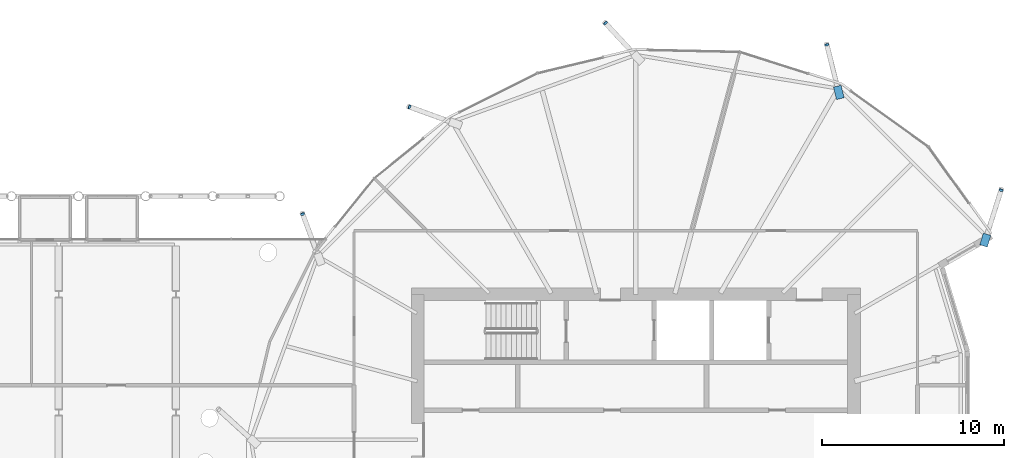
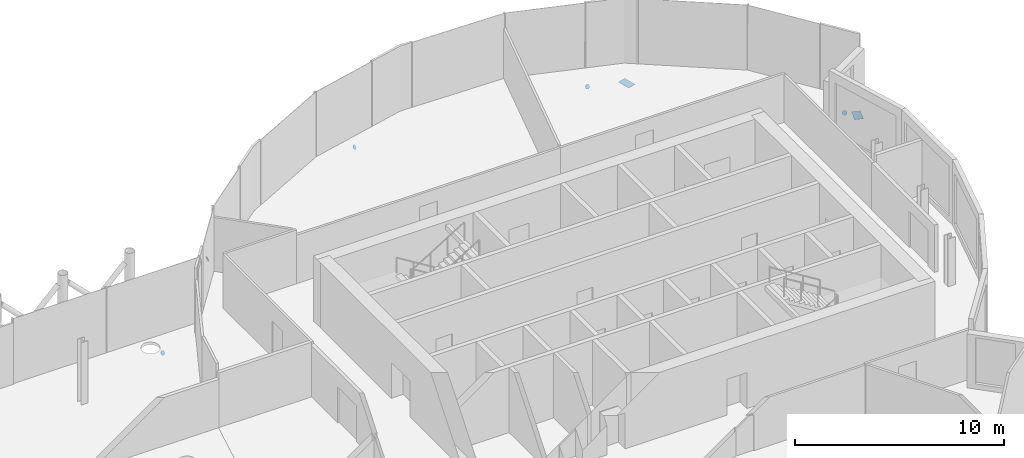
# One storey, part 35 of 39: 7 discrete accessories.
"""IFC4 building model written with IfcOpenShell, lengths in metres."""

from ifc_helpers import new_model, si_unit, direction, frame, origin, origin_2d, place, context, subcontext, project, spatial, polyline, rectangle, circle, outline, extrude, material, material_profile, profile_set, type_object, element, save


model = new_model("IFC4")

# Units and contexts
model_context = context("Model", 3, precision=1e-05, world=origin(), true_north=direction((0.0, 1.0)))
body_context = subcontext(model_context, "Body", "Model", "MODEL_VIEW")
ifc_project = project(units=[si_unit("LENGTHUNIT", "METRE"), si_unit("AREAUNIT", "SQUARE_METRE"), si_unit("VOLUMEUNIT", "CUBIC_METRE"), si_unit("PLANEANGLEUNIT", "RADIAN"), si_unit("MASSUNIT", "GRAM", prefix="KILO")], contexts=[model_context])

# Site, building, storey
site_placement = place(None, origin())
site = spatial("IfcSite", under=ifc_project, at=site_placement, CompositionType="ELEMENT")
building_placement = place(site_placement, origin())
building = spatial("IfcBuilding", under=site, at=building_placement, Name="Rimbun Link Towers", CompositionType="ELEMENT")
storey_placement = place(building_placement, frame((0.0, 0.0, 143.0)))
storey = spatial("IfcBuildingStorey", under=building, at=storey_placement, Name="L34", CompositionType="ELEMENT", Elevation=143.0)

# Discrete accessories
ifc_material_1 = material(Name="Steel S355J2H", Category="steel")
ifc_material_profile_1 = material_profile(ifc_material_1, circle(Radius=0.1240234375, at=origin_2d()), Name="PL D248")
ifc_profile_set_1 = profile_set([ifc_material_profile_1], Name="Steel S355J2H")
discrete_accessory_type_1 = type_object("IfcDiscreteAccessoryType", Name="Link foot sealing plate D248X20", PredefinedType="BRACKET", material=ifc_profile_set_1)
discrete_accessory_1_placement = place(storey_placement, frame((42.263916015625, 21.7216796875, -2.42822265625), z_axis=(-0.209350715718, 0.837402862872, -0.50490466732), x_axis=(-0.970142500145, -0.242535625036, 0.0)))
element("IfcDiscreteAccessory", 1, at=discrete_accessory_1_placement, inside=storey, type_object=discrete_accessory_type_1, Name="Link foot sealing plate T2 L34 01", PredefinedType="BRACKET", context=body_context, shape_type="SweptSolid", body=[
    extrude(circle(Radius=0.1240234375, at=origin_2d()), origin(), (0.0, 0.0, 1.0), 0.019775390625),
])
for number, where, z_axis, x_axis, name in (
    (2, (30.08642578125, 22.9189453125, -2.424560546875), (-0.583287625132, 0.631894927227, -0.510376671991), (-0.734803444627, -0.678280102733, 0.0), "Link foot sealing plate T2 L34 03"),
    (3, (19.304931640625, 18.309814453125, -2.384521484375), (-0.808614679801, 0.306293439319, -0.502321240483), (-0.35422706261, -0.93515944529, 0.0), "Link foot sealing plate T2 L34 05"),
):
    element("IfcDiscreteAccessory", number, at=place(storey_placement, frame(where, z_axis=z_axis, x_axis=x_axis)), inside=storey, type_object=discrete_accessory_type_1, Name=name, PredefinedType="BRACKET", context=body_context, shape_type="SweptSolid", body=[
        extrude(circle(Radius=0.1240234375, at=origin_2d()), origin(), (0.0, 0.0, 1.0), 0.02001953125),
    ])
discrete_accessory_2_placement = place(storey_placement, frame((13.4248046875, 12.410888671875, -2.233154296875), z_axis=(-0.295240698783, 0.787308530088, -0.541274614436), x_axis=(-0.936329177569, -0.351123441588, 0.0)))
element("IfcDiscreteAccessory", 4, at=discrete_accessory_2_placement, inside=storey, type_object=discrete_accessory_type_1, Name="Link foot sealing plate T2 L34 07", PredefinedType="BRACKET", context=body_context, shape_type="SweptSolid", body=[
    extrude(circle(Radius=0.1240234375, at=origin_2d()), origin(), (0.0, 0.0, 1.0), 0.019775390625),
])
discrete_accessory_3_placement = place(storey_placement, frame((51.844482421875, 13.726318359375, -2.47021484375), z_axis=(0.255926340955, 0.804339928716, -0.536226619144), x_axis=(-0.952925780013, 0.303203657277, 0.0)))
element("IfcDiscreteAccessory", 5, at=discrete_accessory_3_placement, inside=storey, type_object=discrete_accessory_type_1, Name="Link foot sealing plate T2 L34 23", PredefinedType="BRACKET", context=body_context, shape_type="SweptSolid", body=[
    extrude(circle(Radius=0.1240234375, at=origin_2d()), origin(), (0.0, 0.0, 1.0), 0.02001953125),
])
ifc_material_2 = material(Name="Steel S355J2H", Category="steel")
ifc_material_profile_2 = material_profile(ifc_material_2, rectangle(XDim=0.43310546875, YDim=0.43310546875, at=origin_2d()), Name="PL 433x433")
ifc_profile_set_2 = profile_set([ifc_material_profile_2], Name="Steel S355J2H")
discrete_accessory_type_2 = type_object("IfcDiscreteAccessoryType", Name="Link head end plate 433X20", PredefinedType="BRACKET", material=ifc_profile_set_2)
discrete_accessory_4_placement = place(storey_placement, frame((0.0, 0.0, -0.883544921875)))
element("IfcDiscreteAccessory", 6, at=discrete_accessory_4_placement, inside=storey, type_object=discrete_accessory_type_2, Name="Link head end plate T2 L34 01", PredefinedType="BRACKET", context=body_context, shape_type="SweptSolid", body=[
    extrude(outline(polyline([(43.216064453125, 18.816650390625), (43.043701171875, 19.50439453125), (42.62353515625, 19.39892578125), (42.796142578125, 18.71142578125), (43.216064453125, 18.816650390625)])), origin(), (0.0, 0.0, 1.0), 0.02001953125),
])
discrete_accessory_5_placement = place(storey_placement, frame((0.0, 0.0, -0.6533203125)))
element("IfcDiscreteAccessory", 7, at=discrete_accessory_5_placement, inside=storey, type_object=discrete_accessory_type_2, Name="Link head end plate T2 L34 23", PredefinedType="BRACKET", context=body_context, shape_type="SweptSolid", body=[
    extrude(outline(polyline([(51.084228515625, 10.5986328125), (51.286376953125, 11.23876953125), (50.873291015625, 11.368896484375), (50.67138671875, 10.72900390625), (51.084228515625, 10.5986328125)])), origin(), (0.0, 0.0, 1.0), 0.02001953125),
])

save(model, "model.ifc")
